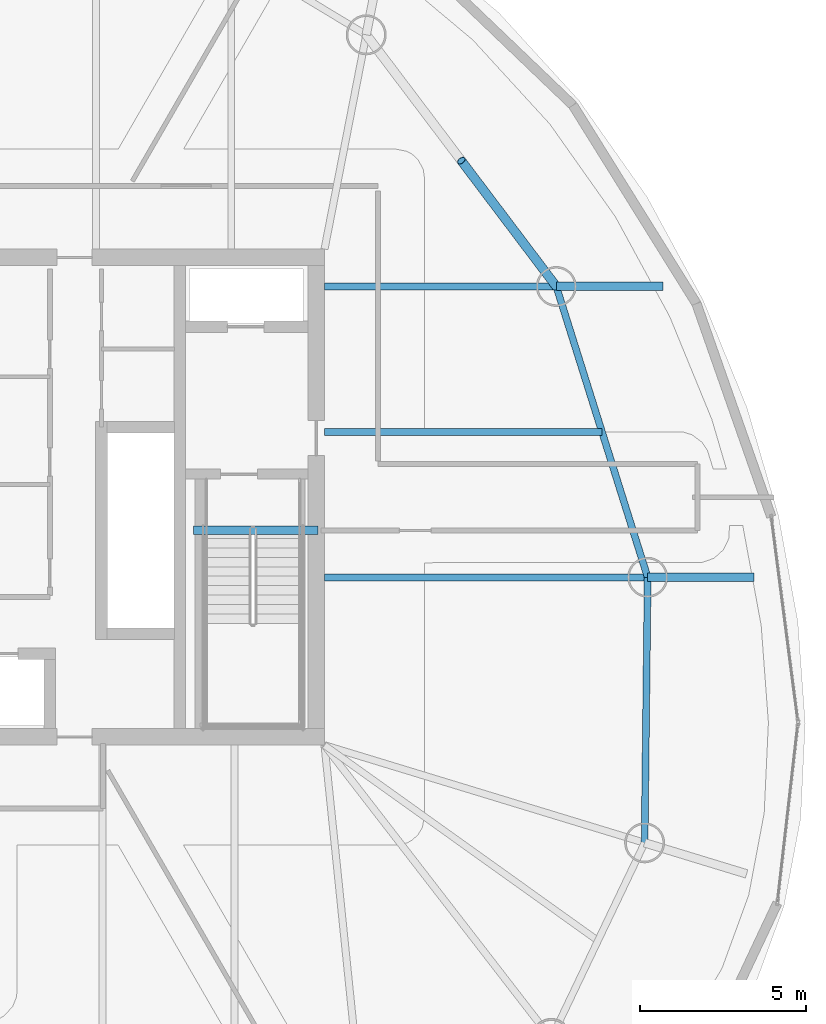
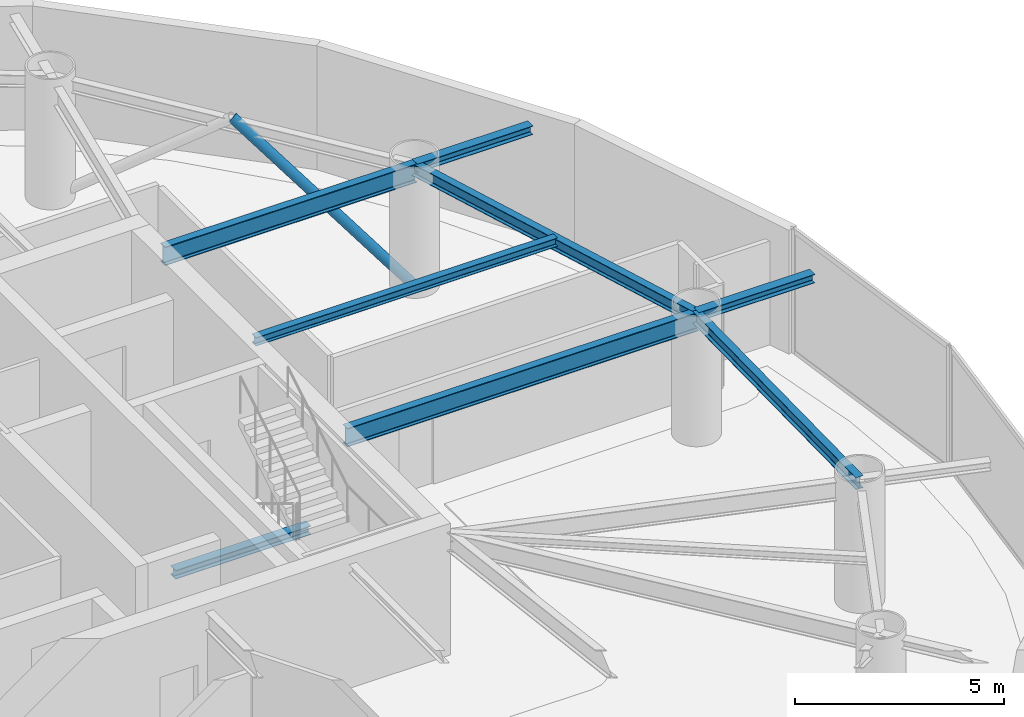
# One storey, part 8 of 20: 8 beams, 1 member.
"""IFC4 building model written with IfcOpenShell, lengths in metres."""

from ifc_helpers import new_model, si_unit, direction, frame, origin, origin_2d, place, context, subcontext, project, spatial, hollow_circle, i_section, extrude, material, material_profile, profile_set, type_object, element, save


model = new_model("IFC4")

# Units and contexts
model_context = context("Model", 3, precision=1e-05, world=origin(), true_north=direction((0.0, 1.0)))
body_context = subcontext(model_context, "Body", "Model", "MODEL_VIEW")
ifc_project = project(units=[si_unit("LENGTHUNIT", "METRE"), si_unit("AREAUNIT", "SQUARE_METRE"), si_unit("VOLUMEUNIT", "CUBIC_METRE"), si_unit("PLANEANGLEUNIT", "RADIAN"), si_unit("MASSUNIT", "GRAM", prefix="KILO")], contexts=[model_context])

# Site, building, storey
site_placement = place(None, origin())
site = spatial("IfcSite", under=ifc_project, at=site_placement, CompositionType="ELEMENT")
building_placement = place(site_placement, origin())
building = spatial("IfcBuilding", under=site, at=building_placement, Name="Bramvorn Convention Spire", CompositionType="ELEMENT")
storey_placement = place(building_placement, frame((0.0, 0.0, 175.050048828125)))
storey = spatial("IfcBuildingStorey", under=building, at=storey_placement, Name="L44", CompositionType="ELEMENT", Elevation=175.050048828125)

# Beams
ifc_material = material(Name="Steel CSA G40.21 Grade 350 (350W)", Category="steel")
ifc_material_profile_1 = material_profile(ifc_material, i_section(OverallWidth=0.201904296875, OverallDepth=0.2470703125, WebThickness=0.00732421875, FlangeThickness=0.010986328125, FilletRadius=0.011962890625, at=origin_2d()))
ifc_profile_set_1 = profile_set([ifc_material_profile_1], Name="Steel CSA G40.21 Grade 350 (350W) - W250X49")
beam_type_1 = type_object("IfcBeamType", Name="BM-W250X49", PredefinedType="JOIST", material=ifc_profile_set_1)
beam_1_placement = place(storey_placement, frame((49.25, 27.960205078125, 3.496337890625), z_axis=(1.0, 0.0, 0.0), x_axis=(0.0, 1.0, 0.0)))
element("IfcBeam", 1, at=beam_1_placement, inside=storey, type_object=beam_type_1, Name="L44 composite floor joist 03", PredefinedType="JOIST", context=body_context, shape_type="SweptSolid", body=[
    extrude(i_section(OverallWidth=0.201904296875, OverallDepth=0.2470703125, WebThickness=0.00732421875, FlangeThickness=0.010986328125, FilletRadius=0.011962890625, at=origin_2d()), origin(), (0.0, 0.0, 1.0), 8.33251953125),
])
ifc_material_profile_2 = material_profile(ifc_material, i_section(OverallWidth=0.25390625, OverallDepth=0.2529296875, WebThickness=0.008544921875, FlangeThickness=0.01416015625, FilletRadius=0.011962890625, at=origin_2d()))
ifc_profile_set_2 = profile_set([ifc_material_profile_2], Name="Steel CSA G40.21 Grade 350 (350W) - W250X73")
beam_type_2 = type_object("IfcBeamType", Name="BM-W250X73", PredefinedType="BEAM", material=ifc_profile_set_2)
beam_2_placement = place(storey_placement, frame((58.95458984375, 23.593505859375, 3.493408203125), z_axis=(1.0, 0.0, 0.0), x_axis=(0.0, 1.0, 0.0)))
element("IfcBeam", 2, at=beam_2_placement, inside=storey, type_object=beam_type_2, Name="L44 slab-edge cantilever tip beam MC03", PredefinedType="BEAM", context=body_context, shape_type="SweptSolid", body=[
    extrude(i_section(OverallWidth=0.25390625, OverallDepth=0.2529296875, WebThickness=0.008544921875, FlangeThickness=0.01416015625, FilletRadius=0.011962890625, at=origin_2d()), origin(), (0.0, 0.0, 1.0), 3.2001953125),
])
beam_3_placement = place(storey_placement, frame((56.21044921875, 32.327392578125, 3.493408203125), z_axis=(1.0, 0.0, 0.0), x_axis=(0.0, 1.0, 0.0)))
element("IfcBeam", 3, at=beam_3_placement, inside=storey, type_object=beam_type_2, Name="L44 slab-edge cantilever tip beam MC04", PredefinedType="BEAM", context=body_context, shape_type="SweptSolid", body=[
    extrude(i_section(OverallWidth=0.25390625, OverallDepth=0.2529296875, WebThickness=0.008544921875, FlangeThickness=0.01416015625, FilletRadius=0.011962890625, at=origin_2d()), origin(), (0.0, 0.0, 1.0), 3.199951171875),
])
beam_4_placement = place(storey_placement, frame((45.31005859375, 25.010009765625, -0.12646484375), z_axis=(1.0, 0.0, 0.0), x_axis=(0.0, 1.0, 0.0)))
element("IfcBeam", 4, at=beam_4_placement, inside=storey, type_object=beam_type_2, Name="L44 ST2 stair arrival header beam", PredefinedType="BEAM", context=body_context, shape_type="SweptSolid", body=[
    extrude(i_section(OverallWidth=0.25390625, OverallDepth=0.2529296875, WebThickness=0.008544921875, FlangeThickness=0.01416015625, FilletRadius=0.011962890625, at=origin_2d()), origin(), (0.0, 0.0, 1.0), 3.739990234375),
])
ifc_material_profile_3 = material_profile(ifc_material, i_section(OverallWidth=0.205078125, OverallDepth=0.35400390625, WebThickness=0.009521484375, FlangeThickness=0.016845703125, FilletRadius=0.014892578125, at=origin_2d()))
ifc_profile_set_3 = profile_set([ifc_material_profile_3], Name="Steel CSA G40.21 Grade 350 (350W) - W360X79")
beam_type_3 = type_object("IfcBeamType", Name="BM-W360X79", PredefinedType="JOIST", material=ifc_profile_set_3)
beam_5_placement = place(storey_placement, frame((58.863037109375, 15.619384765625, 3.44287109375), z_axis=(0.011480475367, 0.999934097171, 0.0), x_axis=(-0.999934097171, 0.011480475367, 0.0)))
element("IfcBeam", 5, at=beam_5_placement, inside=storey, type_object=beam_type_3, Name="L44 mega-column ring beam 02", PredefinedType="JOIST", context=body_context, shape_type="SweptSolid", body=[
    extrude(i_section(OverallWidth=0.205078125, OverallDepth=0.35400390625, WebThickness=0.009521484375, FlangeThickness=0.016845703125, FilletRadius=0.014892578125, at=origin_2d()), origin(), (0.0, 0.0, 1.0), 7.974609375),
])
beam_6_placement = place(storey_placement, frame((58.95458984375, 23.593505859375, 3.44287109375), z_axis=(-0.299747542929, 0.954018558786, 0.0), x_axis=(-0.954018558786, -0.299747542929, 0.0)))
element("IfcBeam", 6, at=beam_6_placement, inside=storey, type_object=beam_type_3, Name="L44 mega-column ring beam 03", PredefinedType="JOIST", context=body_context, shape_type="SweptSolid", body=[
    extrude(i_section(OverallWidth=0.205078125, OverallDepth=0.35400390625, WebThickness=0.009521484375, FlangeThickness=0.016845703125, FilletRadius=0.014892578125, at=origin_2d()), origin(), (0.0, 0.0, 1.0), 9.15478515625),
])
ifc_material_profile_4 = material_profile(ifc_material, i_section(OverallWidth=0.2119140625, OverallDepth=0.5439453125, WebThickness=0.01318359375, FlangeThickness=0.021240234375, FilletRadius=0.01904296875, at=origin_2d()))
ifc_profile_set_4 = profile_set([ifc_material_profile_4], Name="Steel CSA G40.21 Grade 350 (350W) - W530X123")
beam_type_4 = type_object("IfcBeamType", Name="BM-W530X123", PredefinedType="BEAM", material=ifc_profile_set_4)
beam_7_placement = place(storey_placement, frame((49.25, 23.593505859375, 3.347900390625), z_axis=(1.0, 0.0, 0.0), x_axis=(0.0, 1.0, 0.0)))
element("IfcBeam", 7, at=beam_7_placement, inside=storey, type_object=beam_type_4, Name="L44 radial floor girder MC03", PredefinedType="BEAM", context=body_context, shape_type="SweptSolid", body=[
    extrude(i_section(OverallWidth=0.2119140625, OverallDepth=0.5439453125, WebThickness=0.01318359375, FlangeThickness=0.021240234375, FilletRadius=0.01904296875, at=origin_2d()), origin(), (0.0, 0.0, 1.0), 9.70458984375),
])
beam_8_placement = place(storey_placement, frame((49.25, 32.327392578125, 3.347900390625), z_axis=(1.0, 0.0, 0.0), x_axis=(0.0, 1.0, 0.0)))
element("IfcBeam", 8, at=beam_8_placement, inside=storey, type_object=beam_type_4, Name="L44 radial floor girder MC04", PredefinedType="BEAM", context=body_context, shape_type="SweptSolid", body=[
    extrude(i_section(OverallWidth=0.2119140625, OverallDepth=0.5439453125, WebThickness=0.01318359375, FlangeThickness=0.021240234375, FilletRadius=0.01904296875, at=origin_2d()), origin(), (0.0, 0.0, 1.0), 6.96044921875),
])

# Member
ifc_material_profile_5 = material_profile(ifc_material, hollow_circle(Radius=0.136474609375, WallThickness=0.0126953125, at=origin_2d()))
ifc_profile_set_5 = profile_set([ifc_material_profile_5], Name="Steel CSA G40.21 Grade 350 (350W) - CHS273X13")
member_type = type_object("IfcMemberType", Name="MBR-CHS273X13", PredefinedType="BRACE", material=ifc_profile_set_5)
member_placement = place(storey_placement, frame((56.21044921875, 32.327392578125, 0.0), z_axis=(-0.478846711924, 0.633956839206, 0.607292806235), x_axis=(-0.797953827999, -0.602718581414, 0.0)))
element("IfcMember", 9, at=member_placement, inside=storey, type_object=member_type, Name="L44 perimeter Gothic lancet brace 4A", PredefinedType="BRACE", context=body_context, shape_type="SweptSolid", body=[
    extrude(hollow_circle(Radius=0.136474609375, WallThickness=0.0126953125, at=origin_2d()), origin(), (0.0, 0.0, 1.0), 5.960693359375),
])

save(model, "model.ifc")
